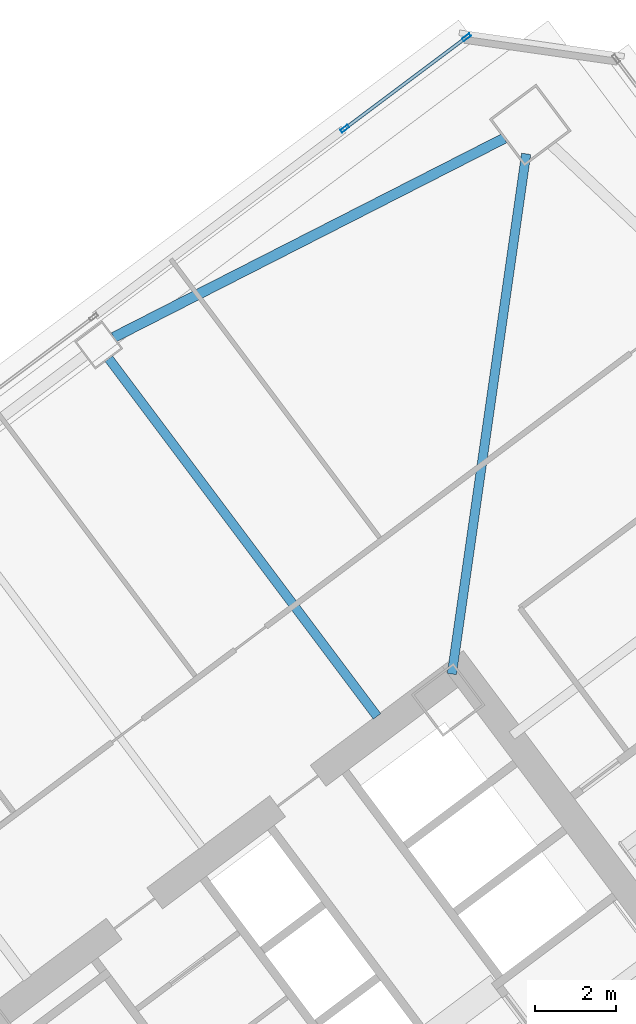
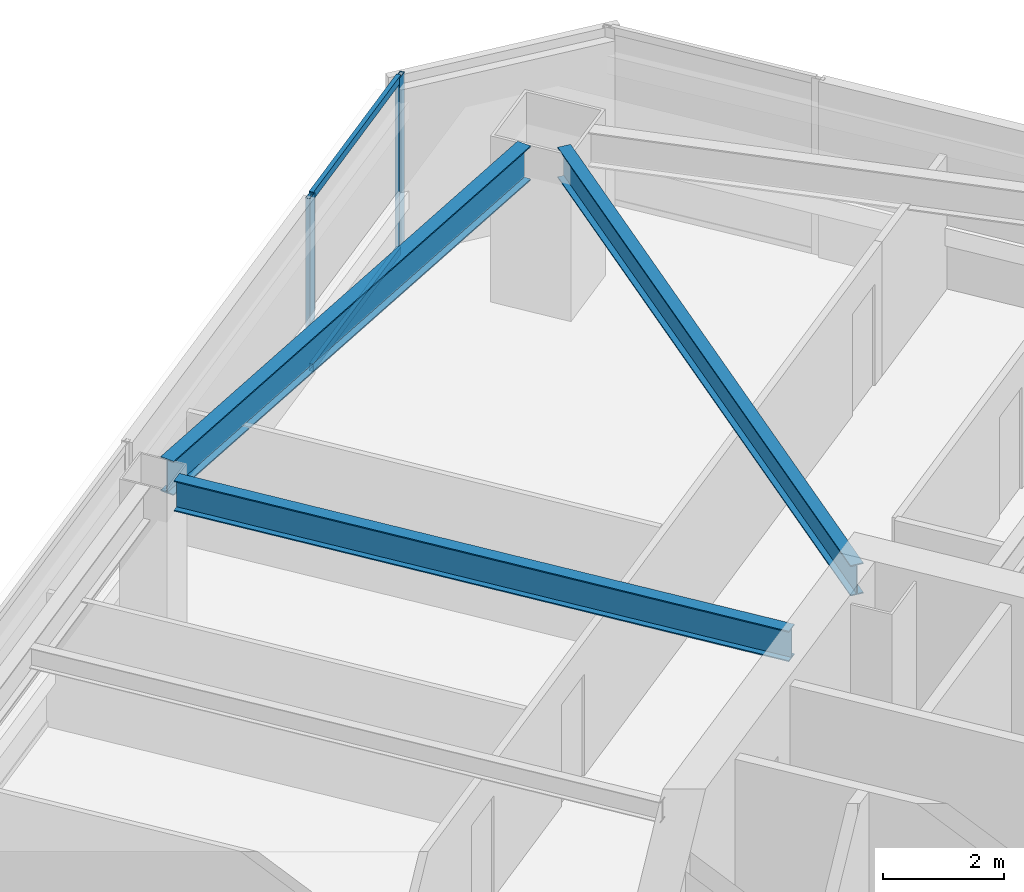
# One storey, part 27 of 44: 4 members, 3 beams, 1 element without a shape of its own.
"""IFC4 building model written with IfcOpenShell, lengths in metres."""

from ifc_helpers import new_model, si_unit, direction, frame, origin, origin_2d, place, context, subcontext, project, spatial, hollow_rectangle, i_section, extrude, material, material_profile, profile_set, type_object, element, aggregate, save


model = new_model("IFC4")

# Units and contexts
model_context = context("Model", 3, precision=1e-05, world=origin(), true_north=direction((0.0, 1.0)))
body_context = subcontext(model_context, "Body", "Model", "MODEL_VIEW")
ifc_project = project(units=[si_unit("LENGTHUNIT", "METRE"), si_unit("AREAUNIT", "SQUARE_METRE"), si_unit("VOLUMEUNIT", "CUBIC_METRE"), si_unit("PLANEANGLEUNIT", "RADIAN"), si_unit("MASSUNIT", "GRAM", prefix="KILO")], contexts=[model_context])

# Site, building, storey
site_placement = place(None, origin())
site = spatial("IfcSite", under=ifc_project, at=site_placement, CompositionType="ELEMENT")
building_placement = place(site_placement, origin())
building = spatial("IfcBuilding", under=site, at=building_placement, Name="Tashvorn Skyway Center", CompositionType="ELEMENT")
storey_placement = place(building_placement, frame((0.0, 0.0, 84.949951171875)))
storey = spatial("IfcBuildingStorey", under=building, at=storey_placement, Name="L22", CompositionType="ELEMENT", Elevation=84.949951171875)

# Beams
ifc_material_1 = material(Name="Steel ASTM A992 Grade 50", Category="steel")
ifc_material_profile_1 = material_profile(ifc_material_1, i_section(OverallWidth=0.22998046875, OverallDepth=0.616943359375, WebThickness=0.01318359375, FlangeThickness=0.022216796875, at=origin_2d()), Name="W24X94")
ifc_profile_set_1 = profile_set([ifc_material_profile_1], Name="Steel ASTM A992 Grade 50")
beam_type_1 = type_object("IfcBeamType", Name="BM-BEAM-W24X94", PredefinedType="BEAM", material=ifc_profile_set_1)
beam_1_placement = place(storey_placement, frame((117.338134765625, 55.3671875, 3.04150390625), z_axis=(-0.141418724841, -0.989949869571, 0.0), x_axis=(0.989949869571, -0.141418724841, 0.0)))
element("IfcBeam", 1, at=beam_1_placement, inside=storey, type_object=beam_type_1, Name="Tower 2 L22 Primary Floor Girder MC-NE", PredefinedType="BEAM", context=body_context, shape_type="SweptSolid", body=[
    extrude(i_section(OverallWidth=0.22998046875, OverallDepth=0.616943359375, WebThickness=0.01318359375, FlangeThickness=0.022216796875, at=origin_2d()), origin(), (0.0, 0.0, 1.0), 12.9892578125),
])
beam_2_placement = place(storey_placement, frame((107.02197265625, 50.303955078125, 3.04150390625), z_axis=(0.60001414024, -0.799989394625, 0.0), x_axis=(0.799989394625, 0.60001414024, 0.0)))
element("IfcBeam", 2, at=beam_2_placement, inside=storey, type_object=beam_type_1, Name="Tower 2 L22 Primary Floor Girder FC-N1", PredefinedType="BEAM", context=body_context, shape_type="SweptSolid", body=[
    extrude(i_section(OverallWidth=0.22998046875, OverallDepth=0.616943359375, WebThickness=0.01318359375, FlangeThickness=0.022216796875, at=origin_2d()), origin(), (0.0, 0.0, 1.0), 11.050048828125),
])
ifc_material_profile_2 = material_profile(ifc_material_1, i_section(OverallWidth=0.256103515625, OverallDepth=0.693115234375, WebThickness=0.014404296875, FlangeThickness=0.023681640625, at=origin_2d()), Name="W27X114")
ifc_profile_set_2 = profile_set([ifc_material_profile_2], Name="Steel ASTM A992 Grade 50")
beam_type_2 = type_object("IfcBeamType", Name="BM-SPANDREL-W27X114", PredefinedType="SPANDREL", material=ifc_profile_set_2)
beam_3_placement = place(storey_placement, frame((116.798583984375, 55.7529296875, 3.003662109375), z_axis=(-0.890894170442, -0.454210938961, 0.0), x_axis=(0.454210938961, -0.890894170442, 0.0)))
element("IfcBeam", 3, at=beam_3_placement, inside=storey, type_object=beam_type_2, Name="Tower 2 L22 Spandrel Beam 07", PredefinedType="SPANDREL", context=body_context, shape_type="SweptSolid", body=[
    extrude(i_section(OverallWidth=0.256103515625, OverallDepth=0.693115234375, WebThickness=0.014404296875, FlangeThickness=0.023681640625, at=origin_2d()), origin(), (0.0, 0.0, 1.0), 10.836669921875),
])

# Curtain wall, members
ifc_material_2 = material(Name="Thermally broken bronze-anodized aluminium 6063-T6", Category="aluminium")
curtain_wall_type = type_object("IfcCurtainWallType", Name="CW-CW-Z2", PredefinedType="NOTDEFINED", material=ifc_material_2)
curtain_wall_placement = place(storey_placement, origin())
curtain_wall = element("IfcCurtainWall", 4, at=curtain_wall_placement, inside=storey, type_object=curtain_wall_type, Name="Tower 2 L22 North Unitised Curtain Wall Glazing Group 3", PredefinedType="NOTDEFINED")
ifc_material_profile_3 = material_profile(ifc_material_2, hollow_rectangle(XDim=0.080078125, YDim=0.219970703125, WallThickness=0.0048828125, at=origin_2d()), Name="ALU-MULL-80x220")
ifc_profile_set_3 = profile_set([ifc_material_profile_3], Name="Thermally broken bronze-anodized aluminium 6063-T6")
member_type_1 = type_object("IfcMemberType", Name="CWM-CW-Z2", PredefinedType="MULLION", material=ifc_profile_set_3)
member_1_placement = place(storey_placement, frame((112.85595703125, 55.991943359375, 0.0), z_axis=(0.0, 0.0, 1.0), x_axis=(-0.600000000002, 0.799999999998, 0.0)))
member_1 = element("IfcMember", 5, at=member_1_placement, type_object=member_type_1, Name="CW-Z2 mullion 1", PredefinedType="MULLION", context=body_context, shape_type="SweptSolid", body=[
    extrude(hollow_rectangle(XDim=0.080078125, YDim=0.219970703125, WallThickness=0.0048828125, at=origin_2d()), origin(), (0.0, 0.0, 1.0), 3.550048828125),
])
member_2_placement = place(storey_placement, frame((115.864013671875, 58.248046875, 0.0), z_axis=(0.0, 0.0, 1.0), x_axis=(-0.600000000002, 0.799999999998, 0.0)))
member_2 = element("IfcMember", 6, at=member_2_placement, type_object=member_type_1, Name="CW-Z2 mullion 2", PredefinedType="MULLION", context=body_context, shape_type="SweptSolid", body=[
    extrude(hollow_rectangle(XDim=0.080078125, YDim=0.219970703125, WallThickness=0.0048828125, at=origin_2d()), origin(), (0.0, 0.0, 1.0), 3.550048828125),
])
ifc_material_profile_4 = material_profile(ifc_material_2, hollow_rectangle(XDim=0.080078125, YDim=0.14990234375, WallThickness=0.00439453125, at=origin_2d()), Name="ALU-TRAN-80x150")
ifc_profile_set_4 = profile_set([ifc_material_profile_4], Name="Thermally broken bronze-anodized aluminium 6063-T6")
member_type_2 = type_object("IfcMemberType", Name="CWT-CW-Z2", PredefinedType="USERDEFINED", material=ifc_profile_set_4)
member_3_placement = place(storey_placement, frame((112.887939453125, 56.01611328125, 0.0400390625), z_axis=(0.800007960868, 0.599989385363, 0.0), x_axis=(-0.599989385363, 0.800007960868, 0.0)))
member_3 = element("IfcMember", 7, at=member_3_placement, type_object=member_type_2, Name="CW-Z2 transom 1.1", ObjectType="TRANSOM", PredefinedType="USERDEFINED", context=body_context, shape_type="SweptSolid", body=[
    extrude(hollow_rectangle(XDim=0.080078125, YDim=0.14990234375, WallThickness=0.00439453125, at=origin_2d()), origin(), (0.0, 0.0, 1.0), 3.68017578125),
])
member_4_placement = place(storey_placement, frame((112.887939453125, 56.01611328125, 3.510009765625), z_axis=(0.800007960868, 0.599989385363, 0.0), x_axis=(-0.599989385363, 0.800007960868, 0.0)))
member_4 = element("IfcMember", 8, at=member_4_placement, type_object=member_type_2, Name="CW-Z2 transom 1.2", ObjectType="TRANSOM", PredefinedType="USERDEFINED", context=body_context, shape_type="SweptSolid", body=[
    extrude(hollow_rectangle(XDim=0.080078125, YDim=0.14990234375, WallThickness=0.00439453125, at=origin_2d()), origin(), (0.0, 0.0, 1.0), 3.68017578125),
])
aggregate(curtain_wall, [member_1, member_2, member_3, member_4])

save(model, "model.ifc")
